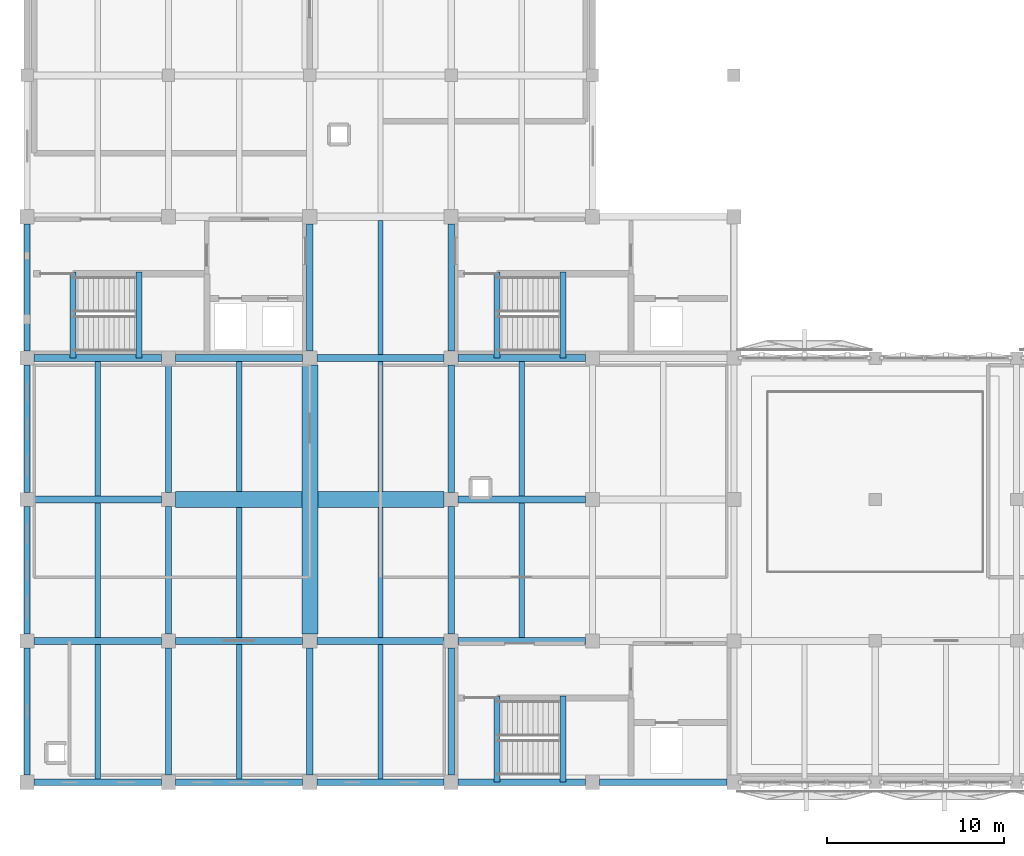
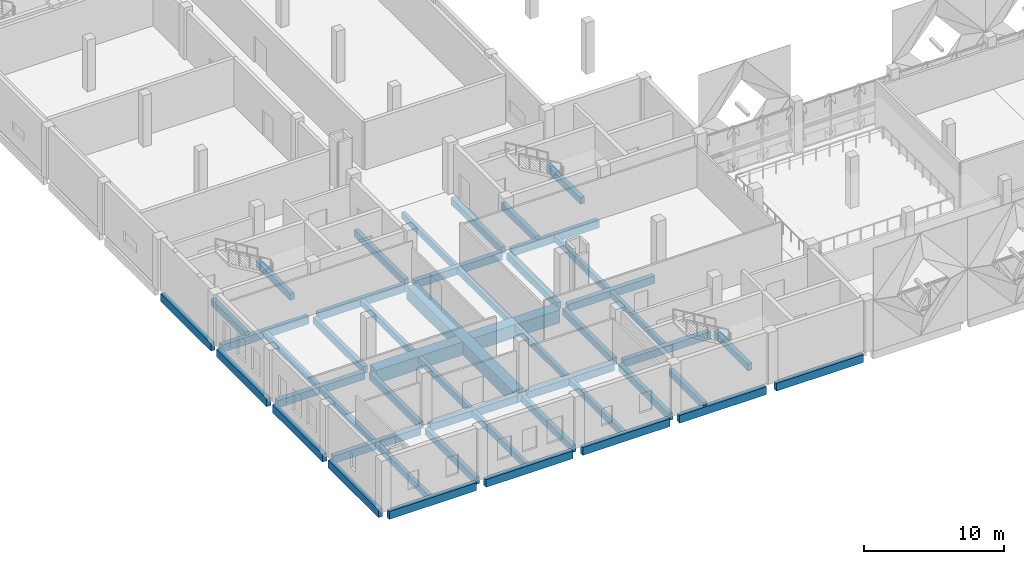
# One storey, part 6 of 37: 48 beams.
"""IFC4 building model written with IfcOpenShell, lengths in metres."""

from ifc_helpers import new_model, si_unit, direction, frame, origin, origin_2d, place, context, subcontext, project, spatial, rectangle, extrude, material, material_profile, profile_set, type_object, element, save


model = new_model("IFC4")

# Units and contexts
model_context = context("Model", 3, precision=1e-05, world=origin(), true_north=direction((0.0, 1.0)))
body_context = subcontext(model_context, "Body", "Model", "MODEL_VIEW")
ifc_project = project(units=[si_unit("LENGTHUNIT", "METRE"), si_unit("AREAUNIT", "SQUARE_METRE"), si_unit("VOLUMEUNIT", "CUBIC_METRE"), si_unit("PLANEANGLEUNIT", "RADIAN"), si_unit("MASSUNIT", "GRAM", prefix="KILO")], contexts=[model_context])

# Site, building, storey
site_placement = place(None, origin())
site = spatial("IfcSite", under=ifc_project, at=site_placement, CompositionType="ELEMENT")
building_placement = place(site_placement, origin())
building = spatial("IfcBuilding", under=site, at=building_placement, Name="Qorikala Patio Media Centre", CompositionType="ELEMENT")
storey_placement = place(building_placement, frame((0.0, 0.0, 14.39990234375)))
storey = spatial("IfcBuildingStorey", under=building, at=storey_placement, Name="L03", CompositionType="ELEMENT", Elevation=14.39990234375)

# Beams
ifc_material = material(Name="Concrete C35/45", Category="concrete")
ifc_material_profile_1 = material_profile(ifc_material, rectangle(XDim=0.35009765625, YDim=0.60009765625, at=origin_2d()), Name="RC 350x600")
ifc_profile_set_1 = profile_set([ifc_material_profile_1], Name="Concrete C35/45")
beam_type_1 = type_object("IfcBeamType", Name="BM-G350X600", PredefinedType="BEAM", material=ifc_profile_set_1)
for number, where, z_axis, x_axis, name in (
    (1, (11.0, 3.39990234375, -0.599853515625), (0.0, 1.0, 0.0), (-1.0, 0.0, 0.0), "L03 Grid X=11 Beam 1199"),
    (2, (11.0, 11.39990234375, -0.599853515625), (0.0, 1.0, 0.0), (-1.0, 0.0, 0.0), "L03 Grid X=11 Beam 1200"),
    (3, (11.0, 19.39990234375, -0.599853515625), (0.0, 1.0, 0.0), (-1.0, 0.0, 0.0), "L03 Grid X=11 Beam 1201"),
    (4, (19.0, 3.39990234375, -0.599853515625), (0.0, 1.0, 0.0), (-1.0, 0.0, 0.0), "L03 Grid X=19 Beam 1207"),
    (5, (19.0, 27.39990234375, -0.599853515625), (0.0, 1.0, 0.0), (-1.0, 0.0, 0.0), "L03 Grid X=19 Beam 1209"),
    (6, (27.0, 3.39990234375, -0.599853515625), (0.0, 1.0, 0.0), (-1.0, 0.0, 0.0), "L03 Grid X=27 Beam 1215"),
    (7, (27.0, 11.39990234375, -0.599853515625), (0.0, 1.0, 0.0), (-1.0, 0.0, 0.0), "L03 Grid X=27 Beam 1216"),
    (8, (27.0, 19.39990234375, -0.599853515625), (0.0, 1.0, 0.0), (-1.0, 0.0, 0.0), "L03 Grid X=27 Beam 1217"),
    (9, (27.0, 27.39990234375, -0.599853515625), (0.0, 1.0, 0.0), (-1.0, 0.0, 0.0), "L03 Grid X=27 Beam 1218"),
):
    element("IfcBeam", number, at=place(storey_placement, frame(where, z_axis=z_axis, x_axis=x_axis)), inside=storey, type_object=beam_type_1, Name=name, PredefinedType="BEAM", context=body_context, shape_type="SweptSolid", body=[
        extrude(rectangle(XDim=0.35009765625, YDim=0.60009765625, at=origin_2d()), origin(), (0.0, 0.0, 1.0), 7.2001953125),
    ])
beam_1_placement = place(storey_placement, frame((29.60009765625, 3.0, -0.2998046875), z_axis=(0.0, 1.0, 0.0), x_axis=(-1.0, 0.0, 0.0)))
element("IfcBeam", 10, at=beam_1_placement, inside=storey, type_object=beam_type_1, Name="L03 ST-1 Well Trimmer Beam", PredefinedType="BEAM", context=body_context, shape_type="SweptSolid", body=[
    extrude(rectangle(XDim=0.35009765625, YDim=0.60009765625, at=origin_2d()), origin(), (0.0, 0.0, 1.0), 4.8798828125),
])
beam_2_placement = place(storey_placement, frame((33.330078125, 3.02001953125, 1.75), z_axis=(0.0, 1.0, 0.0), x_axis=(-1.0, 0.0, 0.0)))
element("IfcBeam", 11, at=beam_2_placement, inside=storey, type_object=beam_type_1, Name="L03 ST-1 Landing Beam 1", PredefinedType="BEAM", context=body_context, shape_type="SweptSolid", body=[
    extrude(rectangle(XDim=0.35009765625, YDim=0.60009765625, at=origin_2d()), origin(), (0.0, 0.0, 1.0), 4.85986328125),
])
beam_3_placement = place(storey_placement, frame((5.60009765625, 27.0, -0.2998046875), z_axis=(0.0, 1.0, 0.0), x_axis=(-1.0, 0.0, 0.0)))
element("IfcBeam", 12, at=beam_3_placement, inside=storey, type_object=beam_type_1, Name="L03 ST-2 Well Trimmer Beam", PredefinedType="BEAM", context=body_context, shape_type="SweptSolid", body=[
    extrude(rectangle(XDim=0.35009765625, YDim=0.60009765625, at=origin_2d()), origin(), (0.0, 0.0, 1.0), 4.8798828125),
])
beam_4_placement = place(storey_placement, frame((9.330078125, 27.02001953125, 1.75), z_axis=(0.0, 1.0, 0.0), x_axis=(-1.0, 0.0, 0.0)))
element("IfcBeam", 13, at=beam_4_placement, inside=storey, type_object=beam_type_1, Name="L03 ST-2 Landing Beam 1", PredefinedType="BEAM", context=body_context, shape_type="SweptSolid", body=[
    extrude(rectangle(XDim=0.35009765625, YDim=0.60009765625, at=origin_2d()), origin(), (0.0, 0.0, 1.0), 4.85986328125),
])
beam_5_placement = place(storey_placement, frame((29.60009765625, 27.0, -0.2998046875), z_axis=(0.0, 1.0, 0.0), x_axis=(-1.0, 0.0, 0.0)))
element("IfcBeam", 14, at=beam_5_placement, inside=storey, type_object=beam_type_1, Name="L03 ST-5 Well Trimmer Beam", PredefinedType="BEAM", context=body_context, shape_type="SweptSolid", body=[
    extrude(rectangle(XDim=0.35009765625, YDim=0.60009765625, at=origin_2d()), origin(), (0.0, 0.0, 1.0), 4.8798828125),
])
beam_6_placement = place(storey_placement, frame((33.330078125, 27.02001953125, 1.75), z_axis=(0.0, 1.0, 0.0), x_axis=(-1.0, 0.0, 0.0)))
element("IfcBeam", 15, at=beam_6_placement, inside=storey, type_object=beam_type_1, Name="L03 ST-5 Landing Beam 1", PredefinedType="BEAM", context=body_context, shape_type="SweptSolid", body=[
    extrude(rectangle(XDim=0.35009765625, YDim=0.60009765625, at=origin_2d()), origin(), (0.0, 0.0, 1.0), 4.85986328125),
])
ifc_material_profile_2 = material_profile(ifc_material, rectangle(XDim=0.39990234375, YDim=0.64990234375, at=origin_2d()), Name="RC 400x650")
ifc_profile_set_2 = profile_set([ifc_material_profile_2], Name="Concrete C35/45")
beam_type_2 = type_object("IfcBeamType", Name="BM-G400X650", PredefinedType="BEAM", material=ifc_profile_set_2)
for number, where, z_axis, x_axis, name in (
    (16, (3.39990234375, 11.0, -0.625), (1.0, 0.0, 0.0), (0.0, 1.0, 0.0), "L03 Grid 11 Beam 1115"),
    (17, (11.39990234375, 11.0, -0.625), (1.0, 0.0, 0.0), (0.0, 1.0, 0.0), "L03 Grid 11 Beam 1116"),
    (18, (19.39990234375, 11.0, -0.625), (1.0, 0.0, 0.0), (0.0, 1.0, 0.0), "L03 Grid 11 Beam 1117"),
    (19, (27.39990234375, 11.0, -0.625), (1.0, 0.0, 0.0), (0.0, 1.0, 0.0), "L03 Grid 11 Beam 1118"),
    (20, (3.39990234375, 19.0, -0.625), (1.0, 0.0, 0.0), (0.0, 1.0, 0.0), "L03 Grid 19 Beam 1126"),
    (21, (27.39990234375, 19.0, -0.625), (1.0, 0.0, 0.0), (0.0, 1.0, 0.0), "L03 Grid 19 Beam 1128"),
    (22, (3.39990234375, 27.0, -0.625), (1.0, 0.0, 0.0), (0.0, 1.0, 0.0), "L03 Grid 27 Beam 1134"),
    (23, (11.39990234375, 27.0, -0.625), (1.0, 0.0, 0.0), (0.0, 1.0, 0.0), "L03 Grid 27 Beam 1135"),
    (24, (19.39990234375, 27.0, -0.625), (1.0, 0.0, 0.0), (0.0, 1.0, 0.0), "L03 Grid 27 Beam 1136"),
    (25, (27.39990234375, 27.0, -0.625), (1.0, 0.0, 0.0), (0.0, 1.0, 0.0), "L03 Grid 27 Beam 1137"),
):
    element("IfcBeam", number, at=place(storey_placement, frame(where, z_axis=z_axis, x_axis=x_axis)), inside=storey, type_object=beam_type_2, Name=name, PredefinedType="BEAM", context=body_context, shape_type="SweptSolid", body=[
        extrude(rectangle(XDim=0.39990234375, YDim=0.64990234375, at=origin_2d()), origin(), (0.0, 0.0, 1.0), 7.2001953125),
    ])
ifc_material_profile_3 = material_profile(ifc_material, rectangle(XDim=0.89990234375, YDim=1.14990234375, at=origin_2d()), Name="RC 900x1150")
ifc_profile_set_3 = profile_set([ifc_material_profile_3], Name="Concrete C35/45")
beam_type_3 = type_object("IfcBeamType", Name="BM-TR900X1150", PredefinedType="BEAM", material=ifc_profile_set_3)
for number, where, z_axis, x_axis, name in (
    (26, (11.39990234375, 19.0, -0.875), (1.0, 0.0, 0.0), (0.0, 1.0, 0.0), "L03 Grid 19 Beam 1127"),
    (27, (19.0, 11.39990234375, -0.875), (0.0, 1.0, 0.0), (-1.0, 0.0, 0.0), "L03 Grid X=19 Transfer Girder 1208"),
):
    element("IfcBeam", number, at=place(storey_placement, frame(where, z_axis=z_axis, x_axis=x_axis)), inside=storey, type_object=beam_type_3, Name=name, PredefinedType="BEAM", context=body_context, shape_type="SweptSolid", body=[
        extrude(rectangle(XDim=0.89990234375, YDim=1.14990234375, at=origin_2d()), origin(), (0.0, 0.0, 1.0), 15.2001953125),
    ])
ifc_material_profile_4 = material_profile(ifc_material, rectangle(XDim=0.300048828125, YDim=0.550048828125, at=origin_2d()), Name="RC 300x550")
ifc_profile_set_4 = profile_set([ifc_material_profile_4], Name="Concrete C35/45")
beam_type_4 = type_object("IfcBeamType", Name="JS-300X550", PredefinedType="JOIST", material=ifc_profile_set_4)
beam_7_placement = place(storey_placement, frame((7.0, 3.175048828125, -0.574951171875), z_axis=(0.0, 1.0, 0.0), x_axis=(-1.0, 0.0, 0.0)))
element("IfcBeam", 28, at=beam_7_placement, inside=storey, type_object=beam_type_4, Name="L03 Secondary Joist 1264", PredefinedType="JOIST", context=body_context, shape_type="SweptSolid", body=[
    extrude(rectangle(XDim=0.300048828125, YDim=0.550048828125, at=origin_2d()), origin(), (0.0, 0.0, 1.0), 7.625),
])
for number, where, z_axis, x_axis, name in (
    (29, (7.0, 11.199951171875, -0.574951171875), (0.0, 1.0, 0.0), (-1.0, 0.0, 0.0), "L03 Secondary Joist 1265"),
    (30, (7.0, 19.199951171875, -0.574951171875), (0.0, 1.0, 0.0), (-1.0, 0.0, 0.0), "L03 Secondary Joist 1266"),
):
    element("IfcBeam", number, at=place(storey_placement, frame(where, z_axis=z_axis, x_axis=x_axis)), inside=storey, type_object=beam_type_4, Name=name, PredefinedType="JOIST", context=body_context, shape_type="SweptSolid", body=[
        extrude(rectangle(XDim=0.300048828125, YDim=0.550048828125, at=origin_2d()), origin(), (0.0, 0.0, 1.0), 7.60009765625),
    ])
beam_8_placement = place(storey_placement, frame((15.0, 3.175048828125, -0.574951171875), z_axis=(0.0, 1.0, 0.0), x_axis=(-1.0, 0.0, 0.0)))
element("IfcBeam", 31, at=beam_8_placement, inside=storey, type_object=beam_type_4, Name="L03 Secondary Joist 1273", PredefinedType="JOIST", context=body_context, shape_type="SweptSolid", body=[
    extrude(rectangle(XDim=0.300048828125, YDim=0.550048828125, at=origin_2d()), origin(), (0.0, 0.0, 1.0), 7.625),
])
for number, where, z_axis, x_axis, name in (
    (32, (15.0, 11.199951171875, -0.574951171875), (0.0, 1.0, 0.0), (-1.0, 0.0, 0.0), "L03 Secondary Joist 1274"),
    (33, (15.0, 19.449951171875, -0.574951171875), (0.0, 1.0, 0.0), (-1.0, 0.0, 0.0), "L03 Secondary Joist 1275"),
):
    element("IfcBeam", number, at=place(storey_placement, frame(where, z_axis=z_axis, x_axis=x_axis)), inside=storey, type_object=beam_type_4, Name=name, PredefinedType="JOIST", context=body_context, shape_type="SweptSolid", body=[
        extrude(rectangle(XDim=0.300048828125, YDim=0.550048828125, at=origin_2d()), origin(), (0.0, 0.0, 1.0), 7.35009765625),
    ])
beam_9_placement = place(storey_placement, frame((23.0, 3.175048828125, -0.574951171875), z_axis=(0.0, 1.0, 0.0), x_axis=(-1.0, 0.0, 0.0)))
element("IfcBeam", 34, at=beam_9_placement, inside=storey, type_object=beam_type_4, Name="L03 Secondary Joist 1279", PredefinedType="JOIST", context=body_context, shape_type="SweptSolid", body=[
    extrude(rectangle(XDim=0.300048828125, YDim=0.550048828125, at=origin_2d()), origin(), (0.0, 0.0, 1.0), 7.625),
])
for number, where, z_axis, x_axis, name in (
    (35, (23.0, 11.199951171875, -0.574951171875), (0.0, 1.0, 0.0), (-1.0, 0.0, 0.0), "L03 Secondary Joist 1280"),
    (36, (23.0, 19.449951171875, -0.574951171875), (0.0, 1.0, 0.0), (-1.0, 0.0, 0.0), "L03 Secondary Joist 1281"),
):
    element("IfcBeam", number, at=place(storey_placement, frame(where, z_axis=z_axis, x_axis=x_axis)), inside=storey, type_object=beam_type_4, Name=name, PredefinedType="JOIST", context=body_context, shape_type="SweptSolid", body=[
        extrude(rectangle(XDim=0.300048828125, YDim=0.550048828125, at=origin_2d()), origin(), (0.0, 0.0, 1.0), 7.35009765625),
    ])
for number, where, z_axis, x_axis, name in (
    (37, (23.0, 27.199951171875, -0.574951171875), (0.0, 1.0, 0.0), (-1.0, 0.0, 0.0), "L03 Secondary Joist 1282"),
    (38, (31.0, 11.199951171875, -0.574951171875), (0.0, 1.0, 0.0), (-1.0, 0.0, 0.0), "L03 Secondary Joist 1288"),
    (39, (31.0, 19.199951171875, -0.574951171875), (0.0, 1.0, 0.0), (-1.0, 0.0, 0.0), "L03 Secondary Joist 1289"),
):
    element("IfcBeam", number, at=place(storey_placement, frame(where, z_axis=z_axis, x_axis=x_axis)), inside=storey, type_object=beam_type_4, Name=name, PredefinedType="JOIST", context=body_context, shape_type="SweptSolid", body=[
        extrude(rectangle(XDim=0.300048828125, YDim=0.550048828125, at=origin_2d()), origin(), (0.0, 0.0, 1.0), 7.60009765625),
    ])
ifc_material_profile_5 = material_profile(ifc_material, rectangle(XDim=0.35009765625, YDim=0.679931640625, at=origin_2d()), Name="RC 350x680")
ifc_profile_set_5 = profile_set([ifc_material_profile_5], Name="Concrete C35/45")
beam_type_5 = type_object("IfcBeamType", Name="SP-350X680", PredefinedType="SPANDREL", material=ifc_profile_set_5)
for number, where, z_axis, x_axis, name in (
    (40, (3.39990234375, 3.0, -0.639892578125), (1.0, 0.0, 0.0), (0.0, 1.0, 0.0), "L03 Grid 3 Beam 1103"),
    (41, (11.39990234375, 3.0, -0.639892578125), (1.0, 0.0, 0.0), (0.0, 1.0, 0.0), "L03 Grid 3 Beam 1104"),
    (42, (19.39990234375, 3.0, -0.639892578125), (1.0, 0.0, 0.0), (0.0, 1.0, 0.0), "L03 Grid 3 Beam 1105"),
    (43, (27.39990234375, 3.0, -0.639892578125), (1.0, 0.0, 0.0), (0.0, 1.0, 0.0), "L03 Grid 3 Beam 1106"),
    (44, (35.39990234375, 3.0, -0.639892578125), (1.0, 0.0, 0.0), (0.0, 1.0, 0.0), "L03 Grid 3 Beam 1107"),
    (45, (3.0, 3.39990234375, -0.639892578125), (0.0, 1.0, 0.0), (-1.0, 0.0, 0.0), "L03 Grid X=3 Beam 1187"),
    (46, (3.0, 11.39990234375, -0.639892578125), (0.0, 1.0, 0.0), (-1.0, 0.0, 0.0), "L03 Grid X=3 Beam 1188"),
    (47, (3.0, 19.39990234375, -0.639892578125), (0.0, 1.0, 0.0), (-1.0, 0.0, 0.0), "L03 Grid X=3 Beam 1189"),
    (48, (3.0, 27.39990234375, -0.639892578125), (0.0, 1.0, 0.0), (-1.0, 0.0, 0.0), "L03 Grid X=3 Beam 1190"),
):
    element("IfcBeam", number, at=place(storey_placement, frame(where, z_axis=z_axis, x_axis=x_axis)), inside=storey, type_object=beam_type_5, Name=name, PredefinedType="SPANDREL", context=body_context, shape_type="SweptSolid", body=[
        extrude(rectangle(XDim=0.35009765625, YDim=0.679931640625, at=origin_2d()), origin(), (0.0, 0.0, 1.0), 7.2001953125),
    ])

save(model, "model.ifc")
